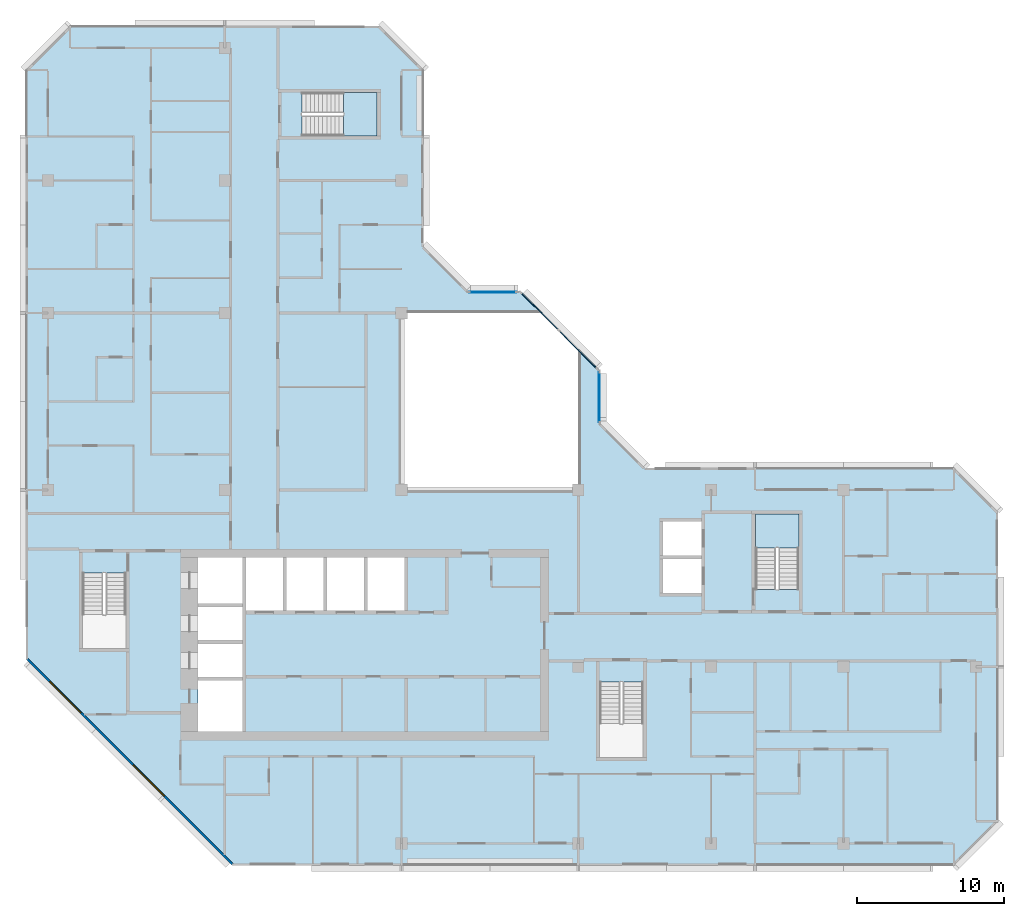
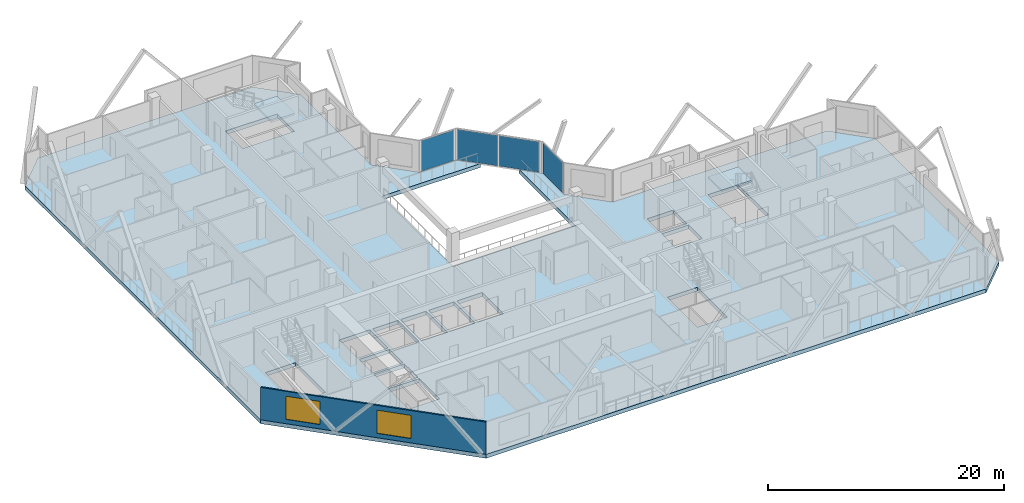
# One storey, part 3 of 13: 4 plates, 3 slabs, 2 windows, 1 wall, 2 openings, 5 elements without a shape of their own.
"""IFC4 building model written with IfcOpenShell, lengths in metres."""

import ifcopenshell
import ifcopenshell.guid

model = None  # the IFC model being written
_history = None  # IfcOwnerHistory: only IFC2X3 demands one
_inside = {}  # id of a spatial element -> (the spatial element, [elements in it])
_under = {}  # id of a project, library or spatial element -> (it, [spatial elements below it])
_declared = {}  # id of a project -> (the project, [libraries it declares])
_typed = {}  # id of a type object -> (the type object, [elements of that type])
_made_of = {}  # id of a material, layer set ... -> (it, [elements and type objects made of it])


def new_model(schema):
    """Start an empty IFC model of exactly this schema.

    Asked for "IFC4X3", IfcOpenShell would pick the latest addendum, in which some entities
    have other attributes; the version numbers below select the first issue.
    IFC2X3 requires an IfcOwnerHistory on every rooted entity: one is made here for all.
    """
    global model, _history
    if schema == "IFC4X3":
        model = ifcopenshell.file(schema_version=(4, 3, 0, 0))
    else:
        model = ifcopenshell.file(schema=schema)
    _inside.clear()
    _under.clear()
    _declared.clear()
    _typed.clear()
    _made_of.clear()
    _history = None
    if model.schema == "IFC2X3":
        org = make("IfcOrganization", Name="unknown")
        user = make(
            "IfcPersonAndOrganization",
            ThePerson=make("IfcPerson", FamilyName="unknown"),
            TheOrganization=org,
        )
        app = make(
            "IfcApplication",
            ApplicationDeveloper=org,
            Version="unknown",
            ApplicationFullName="unknown",
            ApplicationIdentifier="unknown",
        )
        _history = make(
            "IfcOwnerHistory",
            OwningUser=user,
            OwningApplication=app,
            ChangeAction="ADDED",
            CreationDate=0,
        )
    return model


def make(cls, **values):
    """One entity of the class cls with the attributes given. An attribute that is None is left unset."""
    return model.create_entity(
        cls, **{name: value for name, value in values.items() if value is not None}
    )


def rooted(cls, **values):
    """An entity with a GlobalId (a new one), such as an element, a storey or a relation."""
    return make(cls, GlobalId=ifcopenshell.guid.new(), OwnerHistory=_history, **values)


def si_unit(unit_type, name, prefix=None):
    """IfcSIUnit, for example si_unit("LENGTHUNIT", "METRE", prefix="MILLI")."""
    return make("IfcSIUnit", UnitType=unit_type, Prefix=prefix, Name=name)


def assignment(units):
    """IfcUnitAssignment: the units of a project."""
    return None if units is None else make("IfcUnitAssignment", Units=units)


def point(xyz):
    """IfcCartesianPoint."""
    return None if xyz is None else make("IfcCartesianPoint", Coordinates=xyz)


def direction(xyz):
    """IfcDirection."""
    return None if xyz is None else make("IfcDirection", DirectionRatios=xyz)


def frame(location, z_axis=None, x_axis=None):
    """IfcAxis2Placement3D, a coordinate frame: its origin and axes. An axis left out is left unset."""
    return make(
        "IfcAxis2Placement3D",
        Location=point(location),
        Axis=direction(z_axis),
        RefDirection=direction(x_axis),
    )


def frame_2d(location, x_axis=None):
    """IfcAxis2Placement2D, a coordinate frame in the plane: its origin and x axis."""
    return make(
        "IfcAxis2Placement2D", Location=point(location), RefDirection=direction(x_axis)
    )


def origin():
    """The frame at (0, 0, 0) with its axes left unset."""
    return frame((0.0, 0.0, 0.0))


def origin_2d():
    """The frame at (0, 0) in the plane with its x axis left unset."""
    return frame_2d((0.0, 0.0))


def place(relative_to, where):
    """IfcLocalPlacement: puts the frame where relative to a parent placement (None: the world)."""
    return make(
        "IfcLocalPlacement", PlacementRelTo=relative_to, RelativePlacement=where
    )


def context(
    kind, dimensions, precision=None, world=None, true_north=None, identifier=None
):
    """IfcGeometricRepresentationContext, for example the 3D "Model" context."""
    return make(
        "IfcGeometricRepresentationContext",
        ContextIdentifier=identifier,
        ContextType=kind,
        CoordinateSpaceDimension=dimensions,
        Precision=precision,
        WorldCoordinateSystem=world,
        TrueNorth=true_north,
    )


def subcontext(parent, identifier, kind, view, scale=None):
    """IfcGeometricRepresentationSubContext, for example "Body" below "Model"."""
    return make(
        "IfcGeometricRepresentationSubContext",
        ContextIdentifier=identifier,
        ContextType=kind,
        ParentContext=parent,
        TargetScale=scale,
        TargetView=view,
    )


def project(units=None, contexts=None):
    """IfcProject with its units and contexts."""
    return rooted(
        "IfcProject",
        Name="project",
        RepresentationContexts=contexts,
        UnitsInContext=assignment(units),
    )


def spatial(cls, under=None, at=None, **own):
    """A site, building, storey or space (cls), placed at a placement, below another one or the project."""
    s = rooted(cls, ObjectPlacement=at, **own)
    if under is not None:
        _under.setdefault(under.id(), (under, []))[1].append(s)
    return s


def polyline(points):
    """IfcPolyline through the points."""
    return make("IfcPolyline", Points=[point(p) for p in points])


def profile(cls, at=None, kind="AREA", **sizes):
    """A parametric profile (cls). Its sizes go by their IFC names, for example OverallWidth=200.0."""
    return make(cls, ProfileType=kind, Position=at, **sizes)


def rectangle(**sizes):
    """IfcRectangleProfileDef."""
    return profile("IfcRectangleProfileDef", **sizes)


def outline(outer, holes=None, kind="AREA"):
    """IfcArbitraryClosedProfileDef: a profile drawn as a closed curve; with holes, ...WithVoids."""
    if holes is None:
        return make("IfcArbitraryClosedProfileDef", ProfileType=kind, OuterCurve=outer)
    return make(
        "IfcArbitraryProfileDefWithVoids",
        ProfileType=kind,
        OuterCurve=outer,
        InnerCurves=holes,
    )


def extrude(swept, where, along, depth):
    """IfcExtrudedAreaSolid: the profile swept, set in the frame where, extruded along a direction by depth."""
    return make(
        "IfcExtrudedAreaSolid",
        SweptArea=swept,
        Position=where,
        ExtrudedDirection=direction(along),
        Depth=depth,
    )


def shape(context_of_items, identifier, shape_type, items):
    """IfcShapeRepresentation: the items that make up one representation, for example the "Body"."""
    return make(
        "IfcShapeRepresentation",
        ContextOfItems=context_of_items,
        RepresentationIdentifier=identifier,
        RepresentationType=shape_type,
        Items=items,
    )


def material(Name=None, Category=None):
    """IfcMaterial."""
    return make("IfcMaterial", Name=Name, Category=Category)


def layer(
    of_material, thickness, ventilated=None, Name=None, Category=None, Priority=None
):
    """IfcMaterialLayer: one layer of a wall or slab, of a material (None: an air gap)."""
    return make(
        "IfcMaterialLayer",
        Material=of_material,
        LayerThickness=thickness,
        IsVentilated=ventilated,
        Name=Name,
        Category=Category,
        Priority=Priority,
    )


def layer_set(layers, Name=None):
    """IfcMaterialLayerSet."""
    return make("IfcMaterialLayerSet", MaterialLayers=layers, LayerSetName=Name)


def made_of(thing, what):
    """Note that an element or type object is made of a material, layer set ...; save() writes the relation."""
    if what is not None:
        _made_of.setdefault(what.id(), (what, []))[1].append(thing)
    return thing


def type_object(cls, material=None, **own):
    """A type object (cls), such as IfcWallType, which elements share."""
    return made_of(rooted(cls, **own), material)


def element(
    cls,
    number,
    at=None,
    inside=None,
    cuts=None,
    type_object=None,
    material=None,
    context=None,
    identifier="Body",
    shape_type=None,
    held_by="IfcProductDefinitionShape",
    body=None,
    shapes=None,
    **own,
):
    """One element of the class cls, such as IfcWall. Its Tag is "e" and its number.

    at: its placement. inside: the storey or other place that contains it. cuts: it is an
    opening in that element (IfcRelVoidsElement). A single representation is given by context,
    identifier, shape_type and body (its items); several are given by shapes. held_by: the class
    of the entity that holds the representations. save() writes the other relations.
    """
    e = rooted(cls, Tag="e%d" % number, ObjectPlacement=at, **own)
    if body is not None:
        shapes = [shape(context, identifier, shape_type, body)]
    if shapes is not None:
        e.Representation = make(held_by, Representations=shapes)
    if inside is not None:
        _inside.setdefault(inside.id(), (inside, []))[1].append(e)
    if cuts is not None:
        rooted(
            "IfcRelVoidsElement", RelatingBuildingElement=cuts, RelatedOpeningElement=e
        )
    if type_object is not None:
        _typed.setdefault(type_object.id(), (type_object, []))[1].append(e)
    return made_of(e, material)


def fill(opening, filler):
    """IfcRelFillsElement: the door or window that sits in an opening."""
    return rooted(
        "IfcRelFillsElement",
        RelatingOpeningElement=opening,
        RelatedBuildingElement=filler,
    )


def aggregate(whole, parts):
    """IfcRelAggregates: a whole, such as a stair, and the parts it consists of."""
    return rooted("IfcRelAggregates", RelatingObject=whole, RelatedObjects=parts)


def save(model, path):
    """Write the relations noted so far, then the file.

    IfcRelAggregates (storeys below a building ...), IfcRelContainedInSpatialStructure (elements
    in a storey), IfcRelDefinesByType, IfcRelAssociatesMaterial and IfcRelDeclares: one each for
    every whole, place, type object, material and project.
    """
    for whole, parts in _under.values():
        aggregate(whole, parts)
    for where, things in _inside.values():
        rooted(
            "IfcRelContainedInSpatialStructure",
            RelatedElements=things,
            RelatingStructure=where,
        )
    for kind, things in _typed.values():
        rooted("IfcRelDefinesByType", RelatedObjects=things, RelatingType=kind)
    for what, things in _made_of.values():
        rooted("IfcRelAssociatesMaterial", RelatedObjects=things, RelatingMaterial=what)
    for by, libraries in _declared.values():
        rooted("IfcRelDeclares", RelatingContext=by, RelatedDefinitions=libraries)
    model.write(path)


model = new_model("IFC4")

# Units and contexts
model_context = context("Model", 3, precision=1e-05, world=origin(), true_north=direction((0.0, 1.0)))
body_context = subcontext(model_context, "Body", "Model", "MODEL_VIEW")
ifc_project = project(units=[si_unit("LENGTHUNIT", "METRE"), si_unit("AREAUNIT", "SQUARE_METRE"), si_unit("VOLUMEUNIT", "CUBIC_METRE"), si_unit("PLANEANGLEUNIT", "RADIAN"), si_unit("MASSUNIT", "GRAM", prefix="KILO")], contexts=[model_context])

# Site, building, storey
site_placement = place(None, origin())
site = spatial("IfcSite", under=ifc_project, at=site_placement, CompositionType="ELEMENT")
building_placement = place(site_placement, origin())
building = spatial("IfcBuilding", under=site, at=building_placement, Name="Chenar Terraces", CompositionType="ELEMENT")
storey_placement = place(building_placement, frame((0.0, 0.0, 303.39990234375)))
storey = spatial("IfcBuildingStorey", under=building, at=storey_placement, Name="L71", CompositionType="ELEMENT", Elevation=303.39990234375)

# Curtain wall, plate
ifc_material_1 = material(Name="Aluminium framed glazing", Category="aluminium")
ifc_layer_1 = layer(ifc_material_1, 0.14990234375)
ifc_layer_set_1 = layer_set([ifc_layer_1], Name="Aluminium framed glazing")
curtain_wall_type = type_object("IfcCurtainWallType", Name="Atrium upper-zone curtain wall", PredefinedType="NOTDEFINED", material=ifc_layer_set_1)
placement_1 = place(storey_placement, origin())
curtain_wall_1 = element("IfcCurtainWall", 1, at=placement_1, inside=storey, type_object=curtain_wall_type, Name="Atrium upper-zone curtain wall", PredefinedType="NOTDEFINED")
ifc_material_2 = material(Name="Low emissivity laminated glass, solar control coating", Category="glass")
ifc_layer_2 = layer(ifc_material_2, 0.050048828125)
ifc_layer_set_2 = layer_set([ifc_layer_2], Name="Low emissivity laminated glass, solar control coating")
plate_type = type_object("IfcPlateType", Name="Atrium upper-zone glazing panel 50", PredefinedType="CURTAIN_PANEL", material=ifc_layer_set_2)
plate_1_placement = place(storey_placement, frame((37.425048828125, 30.300048828125, 0.10009765625), z_axis=(0.0, 0.0, 1.0), x_axis=(0.0, 1.0, 0.0)))
plate_1 = element("IfcPlate", 2, at=plate_1_placement, type_object=plate_type, Name="CW8-1 panel 1.1", PredefinedType="CURTAIN_PANEL", context=body_context, shape_type="SweptSolid", body=[
    extrude(rectangle(XDim=3.39990234375, YDim=0.050048828125, at=origin_2d()), origin(), (0.0, 0.0, 1.0), 3.14990234375),
])
aggregate(curtain_wall_1, [plate_1])

# Curtain wall, plates
curtain_wall_2 = element("IfcCurtainWall", 3, at=placement_1, inside=storey, type_object=curtain_wall_type, Name="Atrium upper-zone curtain wall", PredefinedType="NOTDEFINED")
plate_2_placement = place(storey_placement, frame((35.97314453125, 33.520751953125, 0.10009765625), z_axis=(0.0, 0.0, 1.0), x_axis=(-0.707106781187, 0.707106781187, 0.0)))
plate_2 = element("IfcPlate", 4, at=plate_2_placement, type_object=plate_type, Name="CW8-2 panel 1.1", PredefinedType="CURTAIN_PANEL", context=body_context, shape_type="SweptSolid", body=[
    extrude(rectangle(XDim=3.568359375, YDim=0.050048828125, at=origin_2d()), origin(), (0.0, 0.0, 1.0), 3.14990234375),
])
plate_3_placement = place(storey_placement, frame((33.379150390625, 36.11474609375, 0.10009765625), z_axis=(0.0, 0.0, 1.0), x_axis=(-0.707106781187, 0.707106781187, 0.0)))
plate_3 = element("IfcPlate", 5, at=plate_3_placement, type_object=plate_type, Name="CW8-2 panel 2.1", PredefinedType="CURTAIN_PANEL", context=body_context, shape_type="SweptSolid", body=[
    extrude(rectangle(XDim=3.568359375, YDim=0.050048828125, at=origin_2d()), origin(), (0.0, 0.0, 1.0), 3.14990234375),
])
aggregate(curtain_wall_2, [plate_2, plate_3])

# Curtain wall, plate
curtain_wall_3 = element("IfcCurtainWall", 6, at=placement_1, inside=storey, type_object=curtain_wall_type, Name="Atrium upper-zone curtain wall", PredefinedType="NOTDEFINED")
plate_4_placement = place(storey_placement, frame((30.199951171875, 37.425048828125, 0.10009765625), z_axis=(0.0, 0.0, 1.0), x_axis=(-1.0, 0.0, 0.0)))
plate_4 = element("IfcPlate", 7, at=plate_4_placement, type_object=plate_type, Name="CW8-3 panel 1.1", PredefinedType="CURTAIN_PANEL", context=body_context, shape_type="SweptSolid", body=[
    extrude(rectangle(XDim=3.199951171875, YDim=0.050048828125, at=origin_2d()), origin(), (0.0, 0.0, 1.0), 3.14990234375),
])
aggregate(curtain_wall_3, [plate_4])

# Stair, slab
ifc_material_3 = material(Name="Reinforced concrete C40/50", Category="concrete")
stair_type = type_object("IfcStairType", Name="Core stair 1400 half-turn", PredefinedType="HALF_TURN_STAIR", material=ifc_material_3)
stair_1 = element("IfcStair", 8, at=placement_1, inside=storey, type_object=stair_type, Name="L71 Stair 3", PredefinedType="HALF_TURN_STAIR")
ifc_material_4 = material(Name="Reinforced concrete C40/50", Category="concrete")
ifc_layer_3 = layer(ifc_material_4, 0.199951171875)
ifc_layer_set_3 = layer_set([ifc_layer_3], Name="Reinforced concrete C40/50")
slab_type_1 = type_object("IfcSlabType", Name="Core stair landing 200", PredefinedType="LANDING", material=ifc_layer_set_3)
placement_2 = place(storey_placement, frame((0.0, 0.0, 1.675048828125)))
slab_1 = element("IfcSlab", 9, at=placement_2, type_object=slab_type_1, Name="ST3 landing 1", PredefinedType="LANDING", context=body_context, shape_type="SweptSolid", body=[
    extrude(outline(polyline([(50.97509765625, 20.050048828125), (50.97509765625, 22.35009765625), (48.02490234375, 22.35009765625), (48.02490234375, 20.050048828125), (50.97509765625, 20.050048828125)])), origin(), (0.0, 0.0, 1.0), 0.199951171875),
])
aggregate(stair_1, [slab_1])

stair_2 = element("IfcStair", 10, at=placement_1, inside=storey, type_object=stair_type, Name="L71 Stair 4", PredefinedType="HALF_TURN_STAIR")
slab_2 = element("IfcSlab", 11, at=placement_2, type_object=slab_type_1, Name="ST4 landing 1", PredefinedType="LANDING", context=body_context, shape_type="SweptSolid", body=[
    extrude(outline(polyline([(20.050048828125, 48.02490234375), (22.35009765625, 48.02490234375), (22.35009765625, 50.97509765625), (20.050048828125, 50.97509765625), (20.050048828125, 48.02490234375)])), origin(), (0.0, 0.0, 1.0), 0.199951171875),
])
aggregate(stair_2, [slab_2])

# Slab
ifc_material_5 = material(Name="Concrete C40/50", Category="concrete")
ifc_layer_4 = layer(ifc_material_5, 0.39990234375)
ifc_layer_set_4 = layer_set([ifc_layer_4], Name="Concrete C40/50")
slab_type_2 = type_object("IfcSlabType", Name="Floor slab 400 Concrete C40/50", PredefinedType="FLOOR", material=ifc_layer_set_4)
slab_3_placement = place(storey_placement, frame((0.0, 0.0, -0.39990234375)))
element("IfcSlab", 12, at=slab_3_placement, inside=storey, type_object=slab_type_2, Name="Floor slab L71", PredefinedType="FLOOR", context=body_context, shape_type="SweptSolid", body=[
    extrude(outline(polyline([(64.5, 22.5), (64.5, 1.5), (61.5, -1.5), (12.5, -1.5), (-1.5, 12.5), (-1.5, 52.5), (1.5, 55.5), (22.5, 55.5), (25.5, 52.5), (25.5, 40.5), (28.5, 37.5), (32.10009765625, 37.5), (33.60009765625, 36.0), (24.0, 36.0), (24.0, 24.0), (36.0, 24.0), (36.0, 33.60009765625), (37.5, 32.10009765625), (37.5, 28.5), (40.5, 25.5), (61.5, 25.5), (64.5, 22.5)]), holes=[polyline([(10.199951171875, 11.050048828125), (10.199951171875, 7.60009765625), (13.199951171875, 7.60009765625), (13.199951171875, 11.050048828125), (10.199951171875, 11.050048828125)]), polyline([(13.199951171875, 13.550048828125), (10.199951171875, 13.550048828125), (10.199951171875, 11.300048828125), (13.199951171875, 11.300048828125), (13.199951171875, 13.550048828125)]), polyline([(13.199951171875, 16.050048828125), (10.199951171875, 16.050048828125), (10.199951171875, 13.800048828125), (13.199951171875, 13.800048828125), (13.199951171875, 16.050048828125)]), polyline([(2.35009765625, 13.25), (5.300048828125, 13.25), (5.300048828125, 18.35009765625), (2.35009765625, 18.35009765625), (2.35009765625, 13.25)]), polyline([(15.949951171875, 19.39990234375), (13.449951171875, 19.39990234375), (13.449951171875, 15.800048828125), (15.949951171875, 15.800048828125), (15.949951171875, 19.39990234375)]), polyline([(18.699951171875, 19.39990234375), (16.199951171875, 19.39990234375), (16.199951171875, 15.800048828125), (18.699951171875, 15.800048828125), (18.699951171875, 19.39990234375)]), polyline([(13.199951171875, 19.39990234375), (10.199951171875, 19.39990234375), (10.199951171875, 16.300048828125), (13.199951171875, 16.300048828125), (13.199951171875, 19.39990234375)]), polyline([(22.35009765625, 48.02490234375), (22.35009765625, 50.97509765625), (17.25, 50.97509765625), (17.25, 48.02490234375), (22.35009765625, 48.02490234375)]), polyline([(37.449951171875, 5.85009765625), (40.39990234375, 5.85009765625), (40.39990234375, 10.949951171875), (37.449951171875, 10.949951171875), (37.449951171875, 5.85009765625)]), polyline([(21.449951171875, 19.39990234375), (18.949951171875, 19.39990234375), (18.949951171875, 15.800048828125), (21.449951171875, 15.800048828125), (21.449951171875, 19.39990234375)]), polyline([(24.199951171875, 19.39990234375), (21.699951171875, 19.39990234375), (21.699951171875, 15.800048828125), (24.199951171875, 15.800048828125), (24.199951171875, 19.39990234375)]), polyline([(44.35009765625, 19.300048828125), (41.75, 19.300048828125), (41.75, 17.0), (44.35009765625, 17.0), (44.35009765625, 19.300048828125)]), polyline([(50.97509765625, 22.35009765625), (48.02490234375, 22.35009765625), (48.02490234375, 17.25), (50.97509765625, 17.25), (50.97509765625, 22.35009765625)]), polyline([(44.35009765625, 21.85009765625), (41.75, 21.85009765625), (41.75, 19.550048828125), (44.35009765625, 19.550048828125), (44.35009765625, 21.85009765625)])]), origin(), (0.0, 0.0, 1.0), 0.39990234375),
])

# Wall, openings, windows
ifc_material_6 = material(Name="Terracotta cladding on insulated backing", Category="masonry")
ifc_layer_5 = layer(ifc_material_6, 0.14990234375)
ifc_layer_set_5 = layer_set([ifc_layer_5], Name="Terracotta cladding on insulated backing")
wall_type = type_object("IfcWallType", Name="Terracotta rainscreen wall 150", PredefinedType="SOLIDWALL", material=ifc_layer_set_5)
wall_placement = place(storey_placement, frame((-1.447021484375, 12.552978515625, 0.0), z_axis=(0.0, 0.0, 1.0), x_axis=(0.707106781187, -0.707106781187, 0.0)))
wall = element("IfcWall", 13, at=wall_placement, inside=storey, type_object=wall_type, Name="Terracotta rainscreen wall", PredefinedType="SOLIDWALL", context=body_context, shape_type="SweptSolid", body=[
    extrude(rectangle(XDim=19.799072265625, YDim=0.14990234375, at=frame_2d((9.8994140625, 0.0))), origin(), (0.0, 0.0, 1.0), 3.35009765625),
])
opening_1_placement = place(wall_placement, frame((2.21240234375, 0.0, 0.449951171875)))
opening_1 = element("IfcOpeningElement", 14, at=opening_1_placement, cuts=wall, Name="Opening W300x240", PredefinedType="OPENING", context=body_context, shape_type="SweptSolid", body=[
    extrude(rectangle(XDim=3.0, YDim=2.39990234375, at=frame_2d((1.5, 1.199951171875))), frame((0.0, 0.0849609375, 0.0), z_axis=(0.0, -1.0, 0.0), x_axis=(1.0, 0.0, 0.0)), (0.0, 0.0, 1.0), 0.169921875),
])
opening_2_placement = place(wall_placement, frame((10.215576171875, 0.0, 0.449951171875)))
opening_2 = element("IfcOpeningElement", 15, at=opening_2_placement, cuts=wall, Name="Opening W300x240", PredefinedType="OPENING", context=body_context, shape_type="SweptSolid", body=[
    extrude(rectangle(XDim=3.0, YDim=2.39990234375, at=frame_2d((1.5, 1.199951171875))), frame((0.0, 0.0849609375, 0.0), z_axis=(0.0, -1.0, 0.0), x_axis=(1.0, 0.0, 0.0)), (0.0, 0.0, 1.0), 0.169921875),
])
ifc_material_7 = material(Name="Low emissivity double glazing, aluminium frame", Category="aluminium")
window_type = type_object("IfcWindowType", Name="Fixed light 3000 x 2400", PartitioningType="SINGLE_PANEL", PredefinedType="WINDOW", material=ifc_material_7)
window_1_placement = place(opening_1_placement, origin())
window_1 = element("IfcWindow", 16, at=window_1_placement, inside=storey, type_object=window_type, Name="Window", OverallHeight=2.39990234375, OverallWidth=3.0, PartitioningType="SINGLE_PANEL", PredefinedType="WINDOW", context=body_context, shape_type="SweptSolid", body=[
    extrude(rectangle(XDim=3.0, YDim=2.39990234375, at=frame_2d((1.5, 1.199951171875))), frame((0.0, 0.030029296875, 0.0), z_axis=(0.0, -1.0, 0.0), x_axis=(1.0, 0.0, 0.0)), (0.0, 0.0, 1.0), 0.06005859375),
])
fill(opening_1, window_1)
window_2_placement = place(opening_2_placement, origin())
window_2 = element("IfcWindow", 17, at=window_2_placement, inside=storey, type_object=window_type, Name="Window", OverallHeight=2.39990234375, OverallWidth=3.0, PartitioningType="SINGLE_PANEL", PredefinedType="WINDOW", context=body_context, shape_type="SweptSolid", body=[
    extrude(rectangle(XDim=3.0, YDim=2.39990234375, at=frame_2d((1.5, 1.199951171875))), frame((0.0, 0.030029296875, 0.0), z_axis=(0.0, -1.0, 0.0), x_axis=(1.0, 0.0, 0.0)), (0.0, 0.0, 1.0), 0.06005859375),
])
fill(opening_2, window_2)

save(model, "model.ifc")
